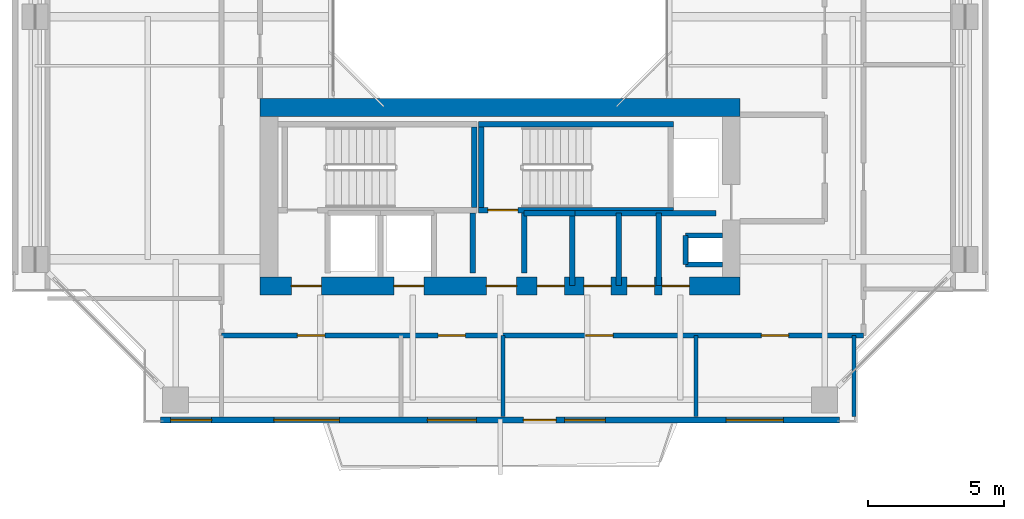
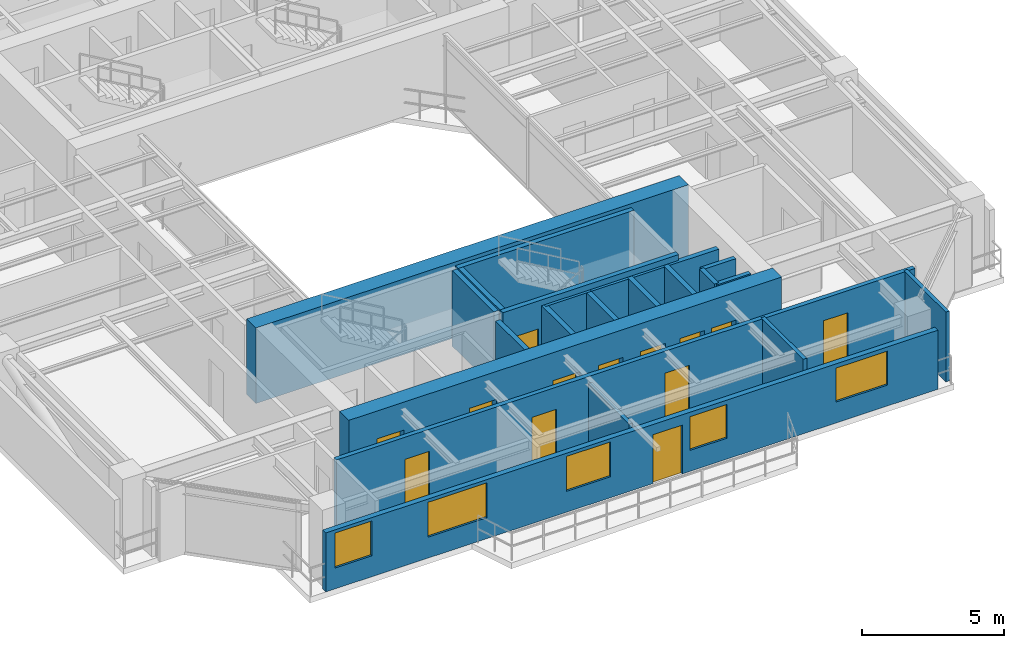
# One storey, part 8 of 14: 21 walls, 13 doors, 5 windows, 18 openings.
"""IFC4 building model written with IfcOpenShell, lengths in metres."""

import ifcopenshell
import ifcopenshell.guid

model = None  # the IFC model being written
_history = None  # IfcOwnerHistory: only IFC2X3 demands one
_inside = {}  # id of a spatial element -> (the spatial element, [elements in it])
_under = {}  # id of a project, library or spatial element -> (it, [spatial elements below it])
_declared = {}  # id of a project -> (the project, [libraries it declares])
_typed = {}  # id of a type object -> (the type object, [elements of that type])
_made_of = {}  # id of a material, layer set ... -> (it, [elements and type objects made of it])


def new_model(schema):
    """Start an empty IFC model of exactly this schema.

    Asked for "IFC4X3", IfcOpenShell would pick the latest addendum, in which some entities
    have other attributes; the version numbers below select the first issue.
    IFC2X3 requires an IfcOwnerHistory on every rooted entity: one is made here for all.
    """
    global model, _history
    if schema == "IFC4X3":
        model = ifcopenshell.file(schema_version=(4, 3, 0, 0))
    else:
        model = ifcopenshell.file(schema=schema)
    _inside.clear()
    _under.clear()
    _declared.clear()
    _typed.clear()
    _made_of.clear()
    _history = None
    if model.schema == "IFC2X3":
        org = make("IfcOrganization", Name="unknown")
        user = make(
            "IfcPersonAndOrganization",
            ThePerson=make("IfcPerson", FamilyName="unknown"),
            TheOrganization=org,
        )
        app = make(
            "IfcApplication",
            ApplicationDeveloper=org,
            Version="unknown",
            ApplicationFullName="unknown",
            ApplicationIdentifier="unknown",
        )
        _history = make(
            "IfcOwnerHistory",
            OwningUser=user,
            OwningApplication=app,
            ChangeAction="ADDED",
            CreationDate=0,
        )
    return model


def make(cls, **values):
    """One entity of the class cls with the attributes given. An attribute that is None is left unset."""
    return model.create_entity(
        cls, **{name: value for name, value in values.items() if value is not None}
    )


def rooted(cls, **values):
    """An entity with a GlobalId (a new one), such as an element, a storey or a relation."""
    return make(cls, GlobalId=ifcopenshell.guid.new(), OwnerHistory=_history, **values)


def si_unit(unit_type, name, prefix=None):
    """IfcSIUnit, for example si_unit("LENGTHUNIT", "METRE", prefix="MILLI")."""
    return make("IfcSIUnit", UnitType=unit_type, Prefix=prefix, Name=name)


def assignment(units):
    """IfcUnitAssignment: the units of a project."""
    return None if units is None else make("IfcUnitAssignment", Units=units)


def point(xyz):
    """IfcCartesianPoint."""
    return None if xyz is None else make("IfcCartesianPoint", Coordinates=xyz)


def direction(xyz):
    """IfcDirection."""
    return None if xyz is None else make("IfcDirection", DirectionRatios=xyz)


def frame(location, z_axis=None, x_axis=None):
    """IfcAxis2Placement3D, a coordinate frame: its origin and axes. An axis left out is left unset."""
    return make(
        "IfcAxis2Placement3D",
        Location=point(location),
        Axis=direction(z_axis),
        RefDirection=direction(x_axis),
    )


def frame_2d(location, x_axis=None):
    """IfcAxis2Placement2D, a coordinate frame in the plane: its origin and x axis."""
    return make(
        "IfcAxis2Placement2D", Location=point(location), RefDirection=direction(x_axis)
    )


def origin():
    """The frame at (0, 0, 0) with its axes left unset."""
    return frame((0.0, 0.0, 0.0))


def place(relative_to, where):
    """IfcLocalPlacement: puts the frame where relative to a parent placement (None: the world)."""
    return make(
        "IfcLocalPlacement", PlacementRelTo=relative_to, RelativePlacement=where
    )


def context(
    kind, dimensions, precision=None, world=None, true_north=None, identifier=None
):
    """IfcGeometricRepresentationContext, for example the 3D "Model" context."""
    return make(
        "IfcGeometricRepresentationContext",
        ContextIdentifier=identifier,
        ContextType=kind,
        CoordinateSpaceDimension=dimensions,
        Precision=precision,
        WorldCoordinateSystem=world,
        TrueNorth=true_north,
    )


def subcontext(parent, identifier, kind, view, scale=None):
    """IfcGeometricRepresentationSubContext, for example "Body" below "Model"."""
    return make(
        "IfcGeometricRepresentationSubContext",
        ContextIdentifier=identifier,
        ContextType=kind,
        ParentContext=parent,
        TargetScale=scale,
        TargetView=view,
    )


def project(units=None, contexts=None):
    """IfcProject with its units and contexts."""
    return rooted(
        "IfcProject",
        Name="project",
        RepresentationContexts=contexts,
        UnitsInContext=assignment(units),
    )


def spatial(cls, under=None, at=None, **own):
    """A site, building, storey or space (cls), placed at a placement, below another one or the project."""
    s = rooted(cls, ObjectPlacement=at, **own)
    if under is not None:
        _under.setdefault(under.id(), (under, []))[1].append(s)
    return s


def profile(cls, at=None, kind="AREA", **sizes):
    """A parametric profile (cls). Its sizes go by their IFC names, for example OverallWidth=200.0."""
    return make(cls, ProfileType=kind, Position=at, **sizes)


def rectangle(**sizes):
    """IfcRectangleProfileDef."""
    return profile("IfcRectangleProfileDef", **sizes)


def extrude(swept, where, along, depth):
    """IfcExtrudedAreaSolid: the profile swept, set in the frame where, extruded along a direction by depth."""
    return make(
        "IfcExtrudedAreaSolid",
        SweptArea=swept,
        Position=where,
        ExtrudedDirection=direction(along),
        Depth=depth,
    )


def shape(context_of_items, identifier, shape_type, items):
    """IfcShapeRepresentation: the items that make up one representation, for example the "Body"."""
    return make(
        "IfcShapeRepresentation",
        ContextOfItems=context_of_items,
        RepresentationIdentifier=identifier,
        RepresentationType=shape_type,
        Items=items,
    )


def source(mapping_origin, context_of_items, identifier, shape_type, items):
    """IfcRepresentationMap: a shape defined once, which mapped items show again and again."""
    return make(
        "IfcRepresentationMap",
        MappingOrigin=mapping_origin,
        MappedRepresentation=shape(context_of_items, identifier, shape_type, items),
    )


def transform(
    local_origin,
    x_axis=None,
    y_axis=None,
    z_axis=None,
    scale=None,
    scale2=None,
    scale3=None,
    uniform=True,
):
    """IfcCartesianTransformationOperator3D, or its non-uniform kind. x_axis, y_axis, z_axis: its Axis1, 2, 3."""
    if uniform:
        return make(
            "IfcCartesianTransformationOperator3D",
            Axis1=direction(x_axis),
            Axis2=direction(y_axis),
            LocalOrigin=point(local_origin),
            Scale=scale,
            Axis3=direction(z_axis),
        )
    return make(
        "IfcCartesianTransformationOperator3DnonUniform",
        Axis1=direction(x_axis),
        Axis2=direction(y_axis),
        LocalOrigin=point(local_origin),
        Scale=scale,
        Axis3=direction(z_axis),
        Scale2=scale2,
        Scale3=scale3,
    )


def mapped(mapping_source, mapping_target):
    """IfcMappedItem: shows the shape of a source again, moved by a transform."""
    return make(
        "IfcMappedItem", MappingSource=mapping_source, MappingTarget=mapping_target
    )


def material(Name=None, Category=None):
    """IfcMaterial."""
    return make("IfcMaterial", Name=Name, Category=Category)


def layer(
    of_material, thickness, ventilated=None, Name=None, Category=None, Priority=None
):
    """IfcMaterialLayer: one layer of a wall or slab, of a material (None: an air gap)."""
    return make(
        "IfcMaterialLayer",
        Material=of_material,
        LayerThickness=thickness,
        IsVentilated=ventilated,
        Name=Name,
        Category=Category,
        Priority=Priority,
    )


def layer_set(layers, Name=None):
    """IfcMaterialLayerSet."""
    return make("IfcMaterialLayerSet", MaterialLayers=layers, LayerSetName=Name)


def made_of(thing, what):
    """Note that an element or type object is made of a material, layer set ...; save() writes the relation."""
    if what is not None:
        _made_of.setdefault(what.id(), (what, []))[1].append(thing)
    return thing


def type_object(cls, material=None, **own):
    """A type object (cls), such as IfcWallType, which elements share."""
    return made_of(rooted(cls, **own), material)


def element(
    cls,
    number,
    at=None,
    inside=None,
    cuts=None,
    type_object=None,
    material=None,
    context=None,
    identifier="Body",
    shape_type=None,
    held_by="IfcProductDefinitionShape",
    body=None,
    shapes=None,
    **own,
):
    """One element of the class cls, such as IfcWall. Its Tag is "e" and its number.

    at: its placement. inside: the storey or other place that contains it. cuts: it is an
    opening in that element (IfcRelVoidsElement). A single representation is given by context,
    identifier, shape_type and body (its items); several are given by shapes. held_by: the class
    of the entity that holds the representations. save() writes the other relations.
    """
    e = rooted(cls, Tag="e%d" % number, ObjectPlacement=at, **own)
    if body is not None:
        shapes = [shape(context, identifier, shape_type, body)]
    if shapes is not None:
        e.Representation = make(held_by, Representations=shapes)
    if inside is not None:
        _inside.setdefault(inside.id(), (inside, []))[1].append(e)
    if cuts is not None:
        rooted(
            "IfcRelVoidsElement", RelatingBuildingElement=cuts, RelatedOpeningElement=e
        )
    if type_object is not None:
        _typed.setdefault(type_object.id(), (type_object, []))[1].append(e)
    return made_of(e, material)


def fill(opening, filler):
    """IfcRelFillsElement: the door or window that sits in an opening."""
    return rooted(
        "IfcRelFillsElement",
        RelatingOpeningElement=opening,
        RelatedBuildingElement=filler,
    )


def aggregate(whole, parts):
    """IfcRelAggregates: a whole, such as a stair, and the parts it consists of."""
    return rooted("IfcRelAggregates", RelatingObject=whole, RelatedObjects=parts)


def save(model, path):
    """Write the relations noted so far, then the file.

    IfcRelAggregates (storeys below a building ...), IfcRelContainedInSpatialStructure (elements
    in a storey), IfcRelDefinesByType, IfcRelAssociatesMaterial and IfcRelDeclares: one each for
    every whole, place, type object, material and project.
    """
    for whole, parts in _under.values():
        aggregate(whole, parts)
    for where, things in _inside.values():
        rooted(
            "IfcRelContainedInSpatialStructure",
            RelatedElements=things,
            RelatingStructure=where,
        )
    for kind, things in _typed.values():
        rooted("IfcRelDefinesByType", RelatedObjects=things, RelatingType=kind)
    for what, things in _made_of.values():
        rooted("IfcRelAssociatesMaterial", RelatedObjects=things, RelatingMaterial=what)
    for by, libraries in _declared.values():
        rooted("IfcRelDeclares", RelatingContext=by, RelatedDefinitions=libraries)
    model.write(path)


model = new_model("IFC4")

# Units and contexts
model_context = context("Model", 3, precision=1e-05, world=origin(), true_north=direction((0.0, 1.0)))
body_context = subcontext(model_context, "Body", "Model", "MODEL_VIEW")
ifc_project = project(units=[si_unit("LENGTHUNIT", "METRE"), si_unit("AREAUNIT", "SQUARE_METRE"), si_unit("VOLUMEUNIT", "CUBIC_METRE"), si_unit("PLANEANGLEUNIT", "RADIAN"), si_unit("MASSUNIT", "GRAM", prefix="KILO"), si_unit("THERMODYNAMICTEMPERATUREUNIT", "KELVIN"), si_unit("POWERUNIT", "WATT")], contexts=[model_context])

# Site, building, storey
site_placement = place(None, origin())
site = spatial("IfcSite", under=ifc_project, at=site_placement, CompositionType="ELEMENT")
building_placement = place(site_placement, origin())
building = spatial("IfcBuilding", under=site, at=building_placement, Name="Qiaomeng Ring Towers", CompositionType="ELEMENT")
storey_placement = place(building_placement, frame((0.0, 0.0, 173.0)))
storey = spatial("IfcBuildingStorey", under=building, at=storey_placement, Name="L50", CompositionType="ELEMENT", Elevation=173.0)

# Wall, openings, windows, door
ifc_material_1 = material(Name="Precast concrete C40", Category="concrete")
ifc_layer_1 = layer(ifc_material_1, 0.219970703125, Name="Precast concrete C40")
ifc_layer_set_1 = layer_set([ifc_layer_1], Name="Precast concrete C40")
wall_type_1 = type_object("IfcWallType", Name="ARC-WL-EW2", PredefinedType="STANDARD", material=ifc_layer_set_1)
wall_1_placement = place(storey_placement, frame((6.550048828125, 5.2099609375, 0.0), z_axis=(0.0, 0.0, 1.0), x_axis=(1.0, 0.0, 0.0)))
wall_1 = element("IfcWall", 1, at=wall_1_placement, inside=storey, type_object=wall_type_1, Name="L50 Tower 1 S Exterior Wall", PredefinedType="STANDARD", context=body_context, shape_type="SweptSolid", body=[
    extrude(rectangle(XDim=24.89990234375, YDim=0.219970703125, at=frame_2d((12.449951171875, 0.0))), origin(), (0.0, 0.0, 1.0), 2.5400390625),
])
opening_1_placement = place(wall_1_placement, frame((13.300048828125, 0.0, 0.0)))
opening_1 = element("IfcOpeningElement", 2, at=opening_1_placement, cuts=wall_1, Name="Opening BD1", PredefinedType="OPENING", context=body_context, shape_type="SweptSolid", body=[
    extrude(rectangle(XDim=1.199951171875, YDim=2.10009765625, at=frame_2d((0.60009765625, 1.050048828125))), frame((0.0, 0.119873046875, 0.0), z_axis=(0.0, -1.0, 0.0), x_axis=(1.0, 0.0, 0.0)), (0.0, 0.0, 1.0), 0.239990234375),
])
opening_2_placement = place(wall_1_placement, frame((0.37255859375, 0.0, 0.89990234375)))
opening_2 = element("IfcOpeningElement", 3, at=opening_2_placement, cuts=wall_1, Name="Opening WN2", PredefinedType="OPENING", context=body_context, shape_type="SweptSolid", body=[
    extrude(rectangle(XDim=1.5, YDim=1.5, at=frame_2d((0.75, 0.75))), frame((0.0, 0.119873046875, 0.0), z_axis=(0.0, -1.0, 0.0), x_axis=(1.0, 0.0, 0.0)), (0.0, 0.0, 1.0), 0.239990234375),
])
opening_3_placement = place(wall_1_placement, frame((9.780029296875, 0.0, 0.89990234375)))
opening_3 = element("IfcOpeningElement", 4, at=opening_3_placement, cuts=wall_1, Name="Opening WN1", PredefinedType="OPENING", context=body_context, shape_type="SweptSolid", body=[
    extrude(rectangle(XDim=1.800048828125, YDim=1.5, at=frame_2d((0.89990234375, 0.75))), frame((0.0, 0.119873046875, 0.0), z_axis=(0.0, -1.0, 0.0), x_axis=(1.0, 0.0, 0.0)), (0.0, 0.0, 1.0), 0.239990234375),
])
opening_4_placement = place(wall_1_placement, frame((14.81298828125, 0.0, 0.89990234375)))
opening_4 = element("IfcOpeningElement", 5, at=opening_4_placement, cuts=wall_1, Name="Opening WN2", PredefinedType="OPENING", context=body_context, shape_type="SweptSolid", body=[
    extrude(rectangle(XDim=1.5, YDim=1.449951171875, at=frame_2d((0.75, 0.72509765625))), frame((0.0, 0.119873046875, 0.0), z_axis=(0.0, -1.0, 0.0), x_axis=(1.0, 0.0, 0.0)), (0.0, 0.0, 1.0), 0.239990234375),
])
opening_5_placement = place(wall_1_placement, frame((20.738037109375, 0.0, 0.89990234375)))
opening_5 = element("IfcOpeningElement", 6, at=opening_5_placement, cuts=wall_1, Name="Opening WN4", PredefinedType="OPENING", context=body_context, shape_type="SweptSolid", body=[
    extrude(rectangle(XDim=2.10009765625, YDim=1.4599609375, at=frame_2d((1.050048828125, 0.72998046875))), frame((0.0, 0.119873046875, 0.0), z_axis=(0.0, -1.0, 0.0), x_axis=(1.0, 0.0, 0.0)), (0.0, 0.0, 1.0), 0.239990234375),
])
opening_6_placement = place(wall_1_placement, frame((4.151611328125, 0.0, 0.89990234375)))
opening_6 = element("IfcOpeningElement", 7, at=opening_6_placement, cuts=wall_1, Name="Opening WN6", PredefinedType="OPENING", context=body_context, shape_type="SweptSolid", body=[
    extrude(rectangle(XDim=2.39990234375, YDim=1.5, at=frame_2d((1.199951171875, 0.75))), frame((0.0, 0.119873046875, 0.0), z_axis=(0.0, -1.0, 0.0), x_axis=(1.0, 0.0, 0.0)), (0.0, 0.0, 1.0), 0.239990234375),
])
ifc_material_2 = material(Name="Low-E dark-grey laminated double glazing", Category="glass")
window_type_1 = type_object("IfcWindowType", Name="ARC-WN-2", PartitioningType="DOUBLE_PANEL_VERTICAL", PredefinedType="WINDOW", material=ifc_material_2)
shared_shape_1 = source(origin(), body_context, "Body", "SweptSolid", [
    extrude(rectangle(XDim=1.5, YDim=1.449951171875, at=frame_2d((0.75, 0.72509765625))), frame((0.0, 0.030029296875, 0.0), z_axis=(0.0, -1.0, 0.0), x_axis=(1.0, 0.0, 0.0)), (0.0, 0.0, 1.0), 0.06005859375),
])
window_1_placement = place(opening_4_placement, origin())
window_1 = element("IfcWindow", 8, at=window_1_placement, inside=storey, type_object=window_type_1, Name="L50 Exterior Window WN2", OverallHeight=1.449951171875, OverallWidth=1.5, PartitioningType="DOUBLE_PANEL_VERTICAL", PredefinedType="WINDOW", context=body_context, shape_type="MappedRepresentation", body=[
    mapped(shared_shape_1, transform((0.0, 0.0, 0.0), x_axis=(1.0, 0.0, 0.0), y_axis=(0.0, 1.0, 0.0), z_axis=(0.0, 0.0, 1.0), scale=1.0)),
])
fill(opening_4, window_1)
door_type_1 = type_object("IfcDoorType", Name="ARC-DR-BD1", OperationType="NOTDEFINED", PredefinedType="DOOR", material=ifc_material_2)
shared_shape_2 = source(origin(), body_context, "Body", "SweptSolid", [
    extrude(rectangle(XDim=1.199951171875, YDim=2.10009765625, at=frame_2d((0.60009765625, 1.050048828125))), frame((0.0, 0.02490234375, 0.0), z_axis=(0.0, -1.0, 0.0), x_axis=(1.0, 0.0, 0.0)), (0.0, 0.0, 1.0), 0.050048828125),
])
door_1_placement = place(opening_1_placement, frame((1.199951171875, 0.0, 0.0), z_axis=(0.0, 0.0, 1.0), x_axis=(-1.0, 0.0, 0.0)))
door_1 = element("IfcDoor", 9, at=door_1_placement, inside=storey, type_object=door_type_1, Name="L50 S Balcony Glazed Door", OperationType="SINGLE_SWING_LEFT", OverallHeight=2.10009765625, OverallWidth=1.199951171875, PredefinedType="DOOR", context=body_context, shape_type="MappedRepresentation", body=[
    mapped(shared_shape_2, transform((0.0, 0.0, 0.0), x_axis=(1.0, 0.0, 0.0), y_axis=(0.0, 1.0, 0.0), z_axis=(0.0, 0.0, 1.0), scale=1.0)),
])
fill(opening_1, door_1)
shared_shape_3 = source(origin(), body_context, "Body", "SweptSolid", [
    extrude(rectangle(XDim=1.5, YDim=1.5, at=frame_2d((0.75, 0.75))), frame((0.0, 0.030029296875, 0.0), z_axis=(0.0, -1.0, 0.0), x_axis=(1.0, 0.0, 0.0)), (0.0, 0.0, 1.0), 0.06005859375),
])
window_2_placement = place(opening_2_placement, origin())
window_2 = element("IfcWindow", 10, at=window_2_placement, inside=storey, type_object=window_type_1, Name="L50 Exterior Window WN6", OverallHeight=1.5, OverallWidth=1.5, PartitioningType="TRIPLE_PANEL_VERTICAL", PredefinedType="WINDOW", context=body_context, shape_type="MappedRepresentation", body=[
    mapped(shared_shape_3, transform((0.0, 0.0, 0.0), x_axis=(1.0, 0.0, 0.0), y_axis=(0.0, 1.0, 0.0), z_axis=(0.0, 0.0, 1.0), scale=1.0)),
])
fill(opening_2, window_2)
window_type_2 = type_object("IfcWindowType", Name="ARC-WN-6", PartitioningType="TRIPLE_PANEL_VERTICAL", PredefinedType="WINDOW", material=ifc_material_2)
shared_shape_4 = source(origin(), body_context, "Body", "SweptSolid", [
    extrude(rectangle(XDim=2.39990234375, YDim=1.5, at=frame_2d((1.199951171875, 0.75))), frame((0.0, 0.030029296875, 0.0), z_axis=(0.0, -1.0, 0.0), x_axis=(1.0, 0.0, 0.0)), (0.0, 0.0, 1.0), 0.06005859375),
])
window_3_placement = place(opening_6_placement, origin())
window_3 = element("IfcWindow", 11, at=window_3_placement, inside=storey, type_object=window_type_2, Name="L50 Exterior Window WN6", OverallHeight=1.5, OverallWidth=2.39990234375, PartitioningType="TRIPLE_PANEL_VERTICAL", PredefinedType="WINDOW", context=body_context, shape_type="MappedRepresentation", body=[
    mapped(shared_shape_4, transform((0.0, 0.0, 0.0), x_axis=(1.0, 0.0, 0.0), y_axis=(0.0, 1.0, 0.0), z_axis=(0.0, 0.0, 1.0), scale=1.0)),
])
fill(opening_6, window_3)
window_type_3 = type_object("IfcWindowType", Name="ARC-WN-1", PartitioningType="DOUBLE_PANEL_VERTICAL", PredefinedType="WINDOW", material=ifc_material_2)
shared_shape_5 = source(origin(), body_context, "Body", "SweptSolid", [
    extrude(rectangle(XDim=1.800048828125, YDim=1.5, at=frame_2d((0.89990234375, 0.75))), frame((0.0, 0.030029296875, 0.0), z_axis=(0.0, -1.0, 0.0), x_axis=(1.0, 0.0, 0.0)), (0.0, 0.0, 1.0), 0.06005859375),
])
window_4_placement = place(opening_3_placement, origin())
window_4 = element("IfcWindow", 12, at=window_4_placement, inside=storey, type_object=window_type_3, Name="L50 Exterior Window WN1", OverallHeight=1.5, OverallWidth=1.800048828125, PartitioningType="DOUBLE_PANEL_VERTICAL", PredefinedType="WINDOW", context=body_context, shape_type="MappedRepresentation", body=[
    mapped(shared_shape_5, transform((0.0, 0.0, 0.0), x_axis=(1.0, 0.0, 0.0), y_axis=(0.0, 1.0, 0.0), z_axis=(0.0, 0.0, 1.0), scale=1.0)),
])
fill(opening_3, window_4)
window_type_4 = type_object("IfcWindowType", Name="ARC-WN-4", PartitioningType="TRIPLE_PANEL_VERTICAL", PredefinedType="WINDOW", material=ifc_material_2)
shared_shape_6 = source(origin(), body_context, "Body", "SweptSolid", [
    extrude(rectangle(XDim=2.10009765625, YDim=1.4599609375, at=frame_2d((1.050048828125, 0.72998046875))), frame((0.0, 0.030029296875, 0.0), z_axis=(0.0, -1.0, 0.0), x_axis=(1.0, 0.0, 0.0)), (0.0, 0.0, 1.0), 0.06005859375),
])
window_5_placement = place(opening_5_placement, origin())
window_5 = element("IfcWindow", 13, at=window_5_placement, inside=storey, type_object=window_type_4, Name="L50 Exterior Window WN4", OverallHeight=1.4599609375, OverallWidth=2.10009765625, PartitioningType="TRIPLE_PANEL_VERTICAL", PredefinedType="WINDOW", context=body_context, shape_type="MappedRepresentation", body=[
    mapped(shared_shape_6, transform((0.0, 0.0, 0.0), x_axis=(1.0, 0.0, 0.0), y_axis=(0.0, 1.0, 0.0), z_axis=(0.0, 0.0, 1.0), scale=1.0)),
])
fill(opening_5, window_5)

# Walls
ifc_material_3 = material(Name="Autoclaved aerated concrete block", Category="concrete")
ifc_layer_2 = layer(ifc_material_3, 0.199951171875, Name="Autoclaved aerated concrete block")
ifc_layer_set_2 = layer_set([ifc_layer_2], Name="Autoclaved aerated concrete block")
wall_type_2 = type_object("IfcWallType", Name="ARC-WL-PW1", PredefinedType="PARTITIONING", material=ifc_layer_set_2)
for number, where, z_axis, x_axis, name in (
    (14, (18.0, 10.60009765625, 0.0), (0.0, 0.0, 1.0), (0.0, 1.0, 0.0), "L50 Interior Wall PW1"),
    (15, (19.8798828125, 10.60009765625, 0.0), (0.0, 0.0, 1.0), (0.0, 1.0, 0.0), "L50 Interior Wall PW1"),
):
    element("IfcWall", number, at=place(storey_placement, frame(where, z_axis=z_axis, x_axis=x_axis)), inside=storey, type_object=wall_type_2, Name=name, PredefinedType="PARTITIONING", context=body_context, shape_type="SweptSolid", body=[
        extrude(rectangle(XDim=2.2099609375, YDim=0.199951171875, at=frame_2d((1.10498046875, 0.0))), origin(), (0.0, 0.0, 1.0), 3.0),
    ])
wall_2_placement = place(storey_placement, frame((24.820068359375, 10.14990234375, 0.0), z_axis=(0.0, 0.0, 1.0), x_axis=(0.0, 1.0, 0.0)))
element("IfcWall", 16, at=wall_2_placement, inside=storey, type_object=wall_type_2, Name="L50 Interior Wall PW1", PredefinedType="PARTITIONING", context=body_context, shape_type="SweptSolid", body=[
    extrude(rectangle(XDim=2.650146484375, YDim=0.199951171875, at=frame_2d((1.3251953125, 0.0))), origin(), (0.0, 0.0, 1.0), 3.0),
])
wall_3_placement = place(storey_placement, frame((19.8798828125, 12.800048828125, 0.0), z_axis=(0.0, 0.0, 1.0), x_axis=(1.0, 0.0, 0.0)))
element("IfcWall", 17, at=wall_3_placement, inside=storey, type_object=wall_type_2, Name="L50 Interior Wall PW1", PredefinedType="PARTITIONING", context=body_context, shape_type="SweptSolid", body=[
    extrude(rectangle(XDim=1.8701171875, YDim=0.199951171875, at=frame_2d((0.93505859375, 0.0))), origin(), (0.0, 0.0, 1.0), 3.0),
])
for number, where, z_axis, x_axis, name in (
    (18, (21.639892578125, 10.14990234375, 0.0), (0.0, 0.0, 1.0), (0.0, 1.0, 0.0), "L50 Interior Wall PW1"),
    (19, (23.35009765625, 10.14990234375, 0.0), (0.0, 0.0, 1.0), (0.0, 1.0, 0.0), "L50 Interior Wall PW1"),
):
    element("IfcWall", number, at=place(storey_placement, frame(where, z_axis=z_axis, x_axis=x_axis)), inside=storey, type_object=wall_type_2, Name=name, PredefinedType="PARTITIONING", context=body_context, shape_type="SweptSolid", body=[
        extrude(rectangle(XDim=2.650146484375, YDim=0.199951171875, at=frame_2d((1.3251953125, 0.0))), origin(), (0.0, 0.0, 1.0), 3.0),
    ])
wall_4_placement = place(storey_placement, frame((21.75, 12.800048828125, 0.0), z_axis=(0.0, 0.0, 1.0), x_axis=(1.0, 0.0, 0.0)))
element("IfcWall", 20, at=wall_4_placement, inside=storey, type_object=wall_type_2, Name="L50 Interior Wall PW1", PredefinedType="PARTITIONING", context=body_context, shape_type="SweptSolid", body=[
    extrude(rectangle(XDim=5.169921875, YDim=0.199951171875, at=frame_2d((2.5849609375, 0.0))), origin(), (0.0, 0.0, 1.0), 3.0),
])

# Wall, openings, doors
ifc_layer_3 = layer(ifc_material_3, 0.179931640625, Name="Autoclaved aerated concrete block")
ifc_layer_set_3 = layer_set([ifc_layer_3], Name="Autoclaved aerated concrete block")
wall_type_3 = type_object("IfcWallType", Name="ARC-WL-PW2", PredefinedType="PARTITIONING", material=ifc_layer_set_3)
wall_5_placement = place(storey_placement, frame((8.780029296875, 8.31005859375, 0.0), z_axis=(0.0, 0.0, 1.0), x_axis=(1.0, 0.0, 0.0)))
wall_5 = element("IfcWall", 21, at=wall_5_placement, inside=storey, type_object=wall_type_3, Name="L50 Interior Wall PW2", PredefinedType="PARTITIONING", context=body_context, shape_type="SweptSolid", body=[
    extrude(rectangle(XDim=23.5400390625, YDim=0.179931640625, at=frame_2d((11.77001953125, 0.0))), origin(), (0.0, 0.0, 1.0), 3.0),
])
opening_7_placement = place(wall_5_placement, frame((2.7900390625, 0.0, 0.0)))
opening_7 = element("IfcOpeningElement", 22, at=opening_7_placement, cuts=wall_5, Name="Opening FD4", PredefinedType="OPENING", context=body_context, shape_type="SweptSolid", body=[
    extrude(rectangle(XDim=1.0, YDim=2.050048828125, at=frame_2d((0.5, 1.02490234375))), frame((0.0, 0.099853515625, 0.0), z_axis=(0.0, -1.0, 0.0), x_axis=(1.0, 0.0, 0.0)), (0.0, 0.0, 1.0), 0.199951171875),
])
opening_8_placement = place(wall_5_placement, frame((7.949951171875, 0.0, 0.0)))
opening_8 = element("IfcOpeningElement", 23, at=opening_8_placement, cuts=wall_5, Name="Opening FD4", PredefinedType="OPENING", context=body_context, shape_type="SweptSolid", body=[
    extrude(rectangle(XDim=1.0, YDim=2.050048828125, at=frame_2d((0.5, 1.02490234375))), frame((0.0, 0.099853515625, 0.0), z_axis=(0.0, -1.0, 0.0), x_axis=(1.0, 0.0, 0.0)), (0.0, 0.0, 1.0), 0.199951171875),
])
opening_9_placement = place(wall_5_placement, frame((13.360107421875, 0.0, 0.0)))
opening_9 = element("IfcOpeningElement", 24, at=opening_9_placement, cuts=wall_5, Name="Opening FD4", PredefinedType="OPENING", context=body_context, shape_type="SweptSolid", body=[
    extrude(rectangle(XDim=1.0, YDim=2.050048828125, at=frame_2d((0.5, 1.02490234375))), frame((0.0, 0.099853515625, 0.0), z_axis=(0.0, -1.0, 0.0), x_axis=(1.0, 0.0, 0.0)), (0.0, 0.0, 1.0), 0.199951171875),
])
opening_10_placement = place(wall_5_placement, frame((19.800048828125, 0.0, 0.0)))
opening_10 = element("IfcOpeningElement", 25, at=opening_10_placement, cuts=wall_5, Name="Opening FD4", PredefinedType="OPENING", context=body_context, shape_type="SweptSolid", body=[
    extrude(rectangle(XDim=1.0, YDim=2.050048828125, at=frame_2d((0.5, 1.02490234375))), frame((0.0, 0.099853515625, 0.0), z_axis=(0.0, -1.0, 0.0), x_axis=(1.0, 0.0, 0.0)), (0.0, 0.0, 1.0), 0.199951171875),
])
ifc_material_4 = material(Name="Engineered fire-rated oak timber", Category="wood")
door_type_2 = type_object("IfcDoorType", Name="ARC-DR-FD4", OperationType="NOTDEFINED", PredefinedType="DOOR", material=ifc_material_4)
shared_shape_7 = source(origin(), body_context, "Body", "SweptSolid", [
    extrude(rectangle(XDim=1.0, YDim=2.050048828125, at=frame_2d((0.5, 1.02490234375))), frame((0.0, 0.02490234375, 0.0), z_axis=(0.0, -1.0, 0.0), x_axis=(1.0, 0.0, 0.0)), (0.0, 0.0, 1.0), 0.050048828125),
])
door_2_placement = place(opening_7_placement, origin())
door_2 = element("IfcDoor", 26, at=door_2_placement, inside=storey, type_object=door_type_2, Name="L50 Door FD4", OperationType="SINGLE_SWING_RIGHT", OverallHeight=2.050048828125, OverallWidth=1.0, PredefinedType="DOOR", context=body_context, shape_type="MappedRepresentation", body=[
    mapped(shared_shape_7, transform((0.0, 0.0, 0.0), x_axis=(1.0, 0.0, 0.0), y_axis=(0.0, 1.0, 0.0), z_axis=(0.0, 0.0, 1.0), scale=1.0)),
])
fill(opening_7, door_2)
door_3_placement = place(opening_8_placement, origin())
door_3 = element("IfcDoor", 27, at=door_3_placement, inside=storey, type_object=door_type_2, Name="L50 Door FD4", OperationType="SINGLE_SWING_LEFT", OverallHeight=2.050048828125, OverallWidth=1.0, PredefinedType="DOOR", context=body_context, shape_type="MappedRepresentation", body=[
    mapped(shared_shape_7, transform((0.0, 0.0, 0.0), x_axis=(1.0, 0.0, 0.0), y_axis=(0.0, 1.0, 0.0), z_axis=(0.0, 0.0, 1.0), scale=1.0)),
])
fill(opening_8, door_3)
door_4_placement = place(opening_9_placement, origin())
door_4 = element("IfcDoor", 28, at=door_4_placement, inside=storey, type_object=door_type_2, Name="L50 Door FD4", OperationType="SINGLE_SWING_RIGHT", OverallHeight=2.050048828125, OverallWidth=1.0, PredefinedType="DOOR", context=body_context, shape_type="MappedRepresentation", body=[
    mapped(shared_shape_7, transform((0.0, 0.0, 0.0), x_axis=(1.0, 0.0, 0.0), y_axis=(0.0, 1.0, 0.0), z_axis=(0.0, 0.0, 1.0), scale=1.0)),
])
fill(opening_9, door_4)
door_5_placement = place(opening_10_placement, origin())
door_5 = element("IfcDoor", 29, at=door_5_placement, inside=storey, type_object=door_type_2, Name="L50 Door FD4", OperationType="SINGLE_SWING_LEFT", OverallHeight=2.050048828125, OverallWidth=1.0, PredefinedType="DOOR", context=body_context, shape_type="MappedRepresentation", body=[
    mapped(shared_shape_7, transform((0.0, 0.0, 0.0), x_axis=(1.0, 0.0, 0.0), y_axis=(0.0, 1.0, 0.0), z_axis=(0.0, 0.0, 1.0), scale=1.0)),
])
fill(opening_10, door_5)

# Walls
ifc_material_5 = material(Name="Gypsum fireboard steel-stud partition", Category="steel")
ifc_layer_4 = layer(ifc_material_5, 0.14990234375, Name="Gypsum fireboard steel-stud partition")
ifc_layer_set_4 = layer_set([ifc_layer_4], Name="Gypsum fireboard steel-stud partition")
wall_type_4 = type_object("IfcWallType", Name="ARC-WL-PW3", PredefinedType="PARTITIONING", material=ifc_layer_set_4)
wall_6_placement = place(storey_placement, frame((19.10009765625, 5.35009765625, 0.0), z_axis=(0.0, 0.0, 1.0), x_axis=(0.0, 1.0, 0.0)))
element("IfcWall", 30, at=wall_6_placement, inside=storey, type_object=wall_type_4, Name="L50 Interior Wall PW3", PredefinedType="PARTITIONING", context=body_context, shape_type="SweptSolid", body=[
    extrude(rectangle(XDim=2.9599609375, YDim=0.14990234375, at=frame_2d((1.47998046875, 0.0))), origin(), (0.0, 0.0, 1.0), 2.700927734375),
])
for number, where, z_axis, x_axis, name in (
    (31, (26.179931640625, 5.35009765625, 0.0), (0.0, 0.0, 1.0), (0.0, 1.0, 0.0), "L50 Interior Wall PW3"),
    (32, (31.97998046875, 5.35009765625, 0.0), (0.0, 0.0, 1.0), (0.0, 1.0, 0.0), "L50 Interior Wall PW3"),
):
    element("IfcWall", number, at=place(storey_placement, frame(where, z_axis=z_axis, x_axis=x_axis)), inside=storey, type_object=wall_type_4, Name=name, PredefinedType="PARTITIONING", context=body_context, shape_type="SweptSolid", body=[
        extrude(rectangle(XDim=2.9599609375, YDim=0.14990234375, at=frame_2d((1.47998046875, 0.0))), origin(), (0.0, 0.0, 1.0), 3.0),
    ])
ifc_material_6 = material(Name="Concrete C40", Category="concrete")
ifc_layer_5 = layer(ifc_material_6, 0.199951171875, Name="Concrete C40")
ifc_layer_set_5 = layer_set([ifc_layer_5], Name="Concrete C40")
wall_type_5 = type_object("IfcWallType", Name="STR-WL-STSHAFT", PredefinedType="SHEAR", material=ifc_layer_set_5)
wall_7_placement = place(storey_placement, frame((25.800048828125, 10.919921875, 0.0), z_axis=(0.0, 0.0, 1.0), x_axis=(0.0, 1.0, 0.0)))
element("IfcWall", 33, at=wall_7_placement, inside=storey, type_object=wall_type_5, Name="L50 Riser RSR1 West Shaft Wall S", PredefinedType="SHEAR", context=body_context, shape_type="SweptSolid", body=[
    extrude(rectangle(XDim=1.06005859375, YDim=0.179931640625, at=frame_2d((0.530029296875, 0.0))), origin(), (0.0, 0.0, 1.0), 3.0),
])
for number, where, z_axis, x_axis, name in (
    (34, (25.800048828125, 11.97998046875, 0.0), (0.0, 0.0, 1.0), (1.0, 0.0, 0.0), "L50 Riser RSR1 North Shaft Wall S"),
    (35, (25.800048828125, 10.919921875, 0.0), (0.0, 0.0, 1.0), (1.0, 0.0, 0.0), "L50 Riser RSR1 South Shaft Wall S"),
):
    element("IfcWall", number, at=place(storey_placement, frame(where, z_axis=z_axis, x_axis=x_axis)), inside=storey, type_object=wall_type_5, Name=name, PredefinedType="SHEAR", context=body_context, shape_type="SweptSolid", body=[
        extrude(rectangle(XDim=1.349853515625, YDim=0.179931640625, at=frame_2d((0.6748046875, 0.0))), origin(), (0.0, 0.0, 1.0), 3.0),
    ])
wall_8_placement = place(storey_placement, frame((18.050048828125, 13.010009765625, 0.0), z_axis=(0.0, 0.0, 1.0), x_axis=(0.0, 1.0, 0.0)))
element("IfcWall", 36, at=wall_8_placement, inside=storey, type_object=wall_type_5, Name="L50 Stair ST3 East Shaft Shear Wall", PredefinedType="SHEAR", context=body_context, shape_type="SweptSolid", body=[
    extrude(rectangle(XDim=2.93994140625, YDim=0.199951171875, at=frame_2d((1.469970703125, 0.0))), origin(), (0.0, 0.0, 1.0), 3.25),
])

# Wall, opening, door
wall_9_placement = place(storey_placement, frame((18.199951171875, 12.909912109375, 0.0), z_axis=(0.0, 0.0, 1.0), x_axis=(1.0, 0.0, 0.0)))
wall_9 = element("IfcWall", 37, at=wall_9_placement, inside=storey, type_object=wall_type_5, Name="L50 Stair ST4 South Shaft Shear Wall", PredefinedType="SHEAR", context=body_context, shape_type="SweptSolid", body=[
    extrude(rectangle(XDim=7.150146484375, YDim=0.199951171875, at=frame_2d((3.5751953125, 0.0))), origin(), (0.0, 0.0, 1.0), 3.25),
])
opening_11_placement = place(wall_9_placement, frame((0.35009765625, 0.0, 0.0)))
opening_11 = element("IfcOpeningElement", 38, at=opening_11_placement, cuts=wall_9, Name="Opening FD3", PredefinedType="OPENING", context=body_context, shape_type="SweptSolid", body=[
    extrude(rectangle(XDim=1.10009765625, YDim=2.050048828125, at=frame_2d((0.550048828125, 1.02490234375))), frame((0.0, 0.10986328125, 0.0), z_axis=(0.0, -1.0, 0.0), x_axis=(1.0, 0.0, 0.0)), (0.0, 0.0, 1.0), 0.219970703125),
])
ifc_material_7 = material(Name="Galvanised steel", Category="steel")
door_type_3 = type_object("IfcDoorType", Name="ARC-DR-FD3", OperationType="NOTDEFINED", PredefinedType="DOOR", material=ifc_material_7)
shared_shape_8 = source(origin(), body_context, "Body", "SweptSolid", [
    extrude(rectangle(XDim=1.10009765625, YDim=2.050048828125, at=frame_2d((0.550048828125, 1.02490234375))), frame((0.0, 0.02490234375, 0.0), z_axis=(0.0, -1.0, 0.0), x_axis=(1.0, 0.0, 0.0)), (0.0, 0.0, 1.0), 0.050048828125),
])
door_6_placement = place(opening_11_placement, frame((1.10009765625, 0.0, 0.0), z_axis=(0.0, 0.0, 1.0), x_axis=(-1.0, 0.0, 0.0)))
door_6 = element("IfcDoor", 39, at=door_6_placement, inside=storey, type_object=door_type_3, Name="L50 Stair ST4 Exit Door", OperationType="SINGLE_SWING_LEFT", OverallHeight=2.050048828125, OverallWidth=1.10009765625, PredefinedType="DOOR", context=body_context, shape_type="MappedRepresentation", body=[
    mapped(shared_shape_8, transform((0.0, 0.0, 0.0), x_axis=(1.0, 0.0, 0.0), y_axis=(0.0, 1.0, 0.0), z_axis=(0.0, 0.0, 1.0), scale=1.0)),
])
fill(opening_11, door_6)

# Walls
wall_10_placement = place(storey_placement, frame((18.199951171875, 16.050048828125, 0.0), z_axis=(0.0, 0.0, 1.0), x_axis=(1.0, 0.0, 0.0)))
element("IfcWall", 40, at=wall_10_placement, inside=storey, type_object=wall_type_5, Name="L50 Stair ST4 North Shaft Shear Wall", PredefinedType="SHEAR", context=body_context, shape_type="SweptSolid", body=[
    extrude(rectangle(XDim=7.150146484375, YDim=0.199951171875, at=frame_2d((3.5751953125, 0.0))), origin(), (0.0, 0.0, 1.0), 3.25),
])
wall_11_placement = place(storey_placement, frame((18.300048828125, 13.010009765625, 0.0), z_axis=(0.0, 0.0, 1.0), x_axis=(0.0, 1.0, 0.0)))
element("IfcWall", 41, at=wall_11_placement, inside=storey, type_object=wall_type_5, Name="L50 Stair ST4 West Shaft Shear Wall", PredefinedType="SHEAR", context=body_context, shape_type="SweptSolid", body=[
    extrude(rectangle(XDim=2.93994140625, YDim=0.199951171875, at=frame_2d((1.469970703125, 0.0))), origin(), (0.0, 0.0, 1.0), 3.25),
])

# Wall, openings, doors
ifc_material_8 = material(Name="Concrete C50", Category="concrete")
ifc_layer_6 = layer(ifc_material_8, 0.64990234375, Name="Concrete C50")
ifc_layer_set_6 = layer_set([ifc_layer_6], Name="Concrete C50")
wall_type_6 = type_object("IfcWallType", Name="STR-WL-SW2B", PredefinedType="SHEAR", material=ifc_layer_set_6)
wall_12_placement = place(storey_placement, frame((10.199951171875, 10.125, 0.0), z_axis=(0.0, 0.0, 1.0), x_axis=(1.0, 0.0, 0.0)))
wall_12 = element("IfcWall", 42, at=wall_12_placement, inside=storey, type_object=wall_type_6, Name="L50 T1SC south core shear wall", PredefinedType="SHEAR", context=body_context, shape_type="SweptSolid", body=[
    extrude(rectangle(XDim=17.60009765625, YDim=0.64990234375, at=frame_2d((8.800048828125, 0.0))), origin(), (0.0, 0.0, 1.0), 3.25),
])
opening_12_placement = place(wall_12_placement, frame((1.14990234375, 0.0, 0.0)))
opening_12 = element("IfcOpeningElement", 43, at=opening_12_placement, cuts=wall_12, Name="Opening FD3", PredefinedType="OPENING", context=body_context, shape_type="SweptSolid", body=[
    extrude(rectangle(XDim=1.10009765625, YDim=2.050048828125, at=frame_2d((0.550048828125, 1.02490234375))), frame((0.0, 0.3349609375, 0.0), z_axis=(0.0, -1.0, 0.0), x_axis=(1.0, 0.0, 0.0)), (0.0, 0.0, 1.0), 0.669921875),
])
opening_13_placement = place(wall_12_placement, frame((8.300048828125, 0.0, 0.0)))
opening_13 = element("IfcOpeningElement", 44, at=opening_13_placement, cuts=wall_12, Name="Opening FD3", PredefinedType="OPENING", context=body_context, shape_type="SweptSolid", body=[
    extrude(rectangle(XDim=1.10009765625, YDim=2.050048828125, at=frame_2d((0.550048828125, 1.02490234375))), frame((0.0, 0.3349609375, 0.0), z_axis=(0.0, -1.0, 0.0), x_axis=(1.0, 0.0, 0.0)), (0.0, 0.0, 1.0), 0.669921875),
])
opening_14_placement = place(wall_12_placement, frame((4.89990234375, 0.0, 0.0)))
opening_14 = element("IfcOpeningElement", 45, at=opening_14_placement, cuts=wall_12, Name="Opening LD1", PredefinedType="OPENING", context=body_context, shape_type="SweptSolid", body=[
    extrude(rectangle(XDim=1.10009765625, YDim=2.050048828125, at=frame_2d((0.550048828125, 1.02490234375))), frame((0.0, 0.3349609375, 0.0), z_axis=(0.0, -1.0, 0.0), x_axis=(1.0, 0.0, 0.0)), (0.0, 0.0, 1.0), 0.669921875),
])
opening_15_placement = place(wall_12_placement, frame((14.739990234375, 0.0, 0.0)))
opening_15 = element("IfcOpeningElement", 46, at=opening_15_placement, cuts=wall_12, Name="Opening FD1", PredefinedType="OPENING", context=body_context, shape_type="SweptSolid", body=[
    extrude(rectangle(XDim=1.0, YDim=2.050048828125, at=frame_2d((0.5, 1.02490234375))), frame((0.0, 0.3349609375, 0.0), z_axis=(0.0, -1.0, 0.0), x_axis=(1.0, 0.0, 0.0)), (0.0, 0.0, 1.0), 0.669921875),
])
opening_16_placement = place(wall_12_placement, frame((10.155029296875, 0.0, 0.0)))
opening_16 = element("IfcOpeningElement", 47, at=opening_16_placement, cuts=wall_12, Name="Opening FD1", PredefinedType="OPENING", context=body_context, shape_type="SweptSolid", body=[
    extrude(rectangle(XDim=1.0, YDim=2.050048828125, at=frame_2d((0.5, 1.02490234375))), frame((0.0, 0.3349609375, 0.0), z_axis=(0.0, -1.0, 0.0), x_axis=(1.0, 0.0, 0.0)), (0.0, 0.0, 1.0), 0.669921875),
])
opening_17_placement = place(wall_12_placement, frame((11.8701171875, 0.0, 0.0)))
opening_17 = element("IfcOpeningElement", 48, at=opening_17_placement, cuts=wall_12, Name="Opening FD1", PredefinedType="OPENING", context=body_context, shape_type="SweptSolid", body=[
    extrude(rectangle(XDim=1.0, YDim=2.050048828125, at=frame_2d((0.5, 1.02490234375))), frame((0.0, 0.3349609375, 0.0), z_axis=(0.0, -1.0, 0.0), x_axis=(1.0, 0.0, 0.0)), (0.0, 0.0, 1.0), 0.669921875),
])
opening_18_placement = place(wall_12_placement, frame((13.4599609375, 0.0, 0.0)))
opening_18 = element("IfcOpeningElement", 49, at=opening_18_placement, cuts=wall_12, Name="Opening FD1", PredefinedType="OPENING", context=body_context, shape_type="SweptSolid", body=[
    extrude(rectangle(XDim=1.0, YDim=2.050048828125, at=frame_2d((0.5, 1.02490234375))), frame((0.0, 0.3349609375, 0.0), z_axis=(0.0, -1.0, 0.0), x_axis=(1.0, 0.0, 0.0)), (0.0, 0.0, 1.0), 0.669921875),
])
door_7_placement = place(opening_12_placement, origin())
door_7 = element("IfcDoor", 50, at=door_7_placement, inside=storey, type_object=door_type_3, Name="L50 Stair ST3 Lobby Door", OperationType="SINGLE_SWING_RIGHT", OverallHeight=2.050048828125, OverallWidth=1.10009765625, PredefinedType="DOOR", context=body_context, shape_type="MappedRepresentation", body=[
    mapped(shared_shape_8, transform((0.0, 0.0, 0.0), x_axis=(1.0, 0.0, 0.0), y_axis=(0.0, 1.0, 0.0), z_axis=(0.0, 0.0, 1.0), scale=1.0)),
])
fill(opening_12, door_7)
door_8_placement = place(opening_13_placement, origin())
door_8 = element("IfcDoor", 51, at=door_8_placement, inside=storey, type_object=door_type_3, Name="L50 Stair ST4 Lobby Door", OperationType="SINGLE_SWING_RIGHT", OverallHeight=2.050048828125, OverallWidth=1.10009765625, PredefinedType="DOOR", context=body_context, shape_type="MappedRepresentation", body=[
    mapped(shared_shape_8, transform((0.0, 0.0, 0.0), x_axis=(1.0, 0.0, 0.0), y_axis=(0.0, 1.0, 0.0), z_axis=(0.0, 0.0, 1.0), scale=1.0)),
])
fill(opening_13, door_8)
ifc_material_9 = material(Name="Stainless steel 316", Category="steel")
door_type_4 = type_object("IfcDoorType", Name="ARC-DR-LD1", OperationType="NOTDEFINED", PredefinedType="DOOR", material=ifc_material_9)
door_9_placement = place(opening_14_placement, origin())
door_9 = element("IfcDoor", 52, at=door_9_placement, inside=storey, type_object=door_type_4, Name="L50 Mid-Zone Lift LP4 Landing Door", OperationType="SLIDING_TO_RIGHT", OverallHeight=2.050048828125, OverallWidth=1.10009765625, PredefinedType="DOOR", context=body_context, shape_type="MappedRepresentation", body=[
    mapped(shared_shape_8, transform((0.0, 0.0, 0.0), x_axis=(1.0, 0.0, 0.0), y_axis=(0.0, 1.0, 0.0), z_axis=(0.0, 0.0, 1.0), scale=1.0)),
])
fill(opening_14, door_9)
door_type_5 = type_object("IfcDoorType", Name="ARC-DR-FD1", OperationType="NOTDEFINED", PredefinedType="DOOR", material=ifc_material_7)
door_10_placement = place(opening_15_placement, origin())
door_10 = element("IfcDoor", 53, at=door_10_placement, inside=storey, type_object=door_type_5, Name="L50 South Electrical Riser Door", OperationType="SINGLE_SWING_LEFT", OverallHeight=2.050048828125, OverallWidth=1.0, PredefinedType="DOOR", context=body_context, shape_type="MappedRepresentation", body=[
    mapped(shared_shape_7, transform((0.0, 0.0, 0.0), x_axis=(1.0, 0.0, 0.0), y_axis=(0.0, 1.0, 0.0), z_axis=(0.0, 0.0, 1.0), scale=1.0)),
])
fill(opening_15, door_10)
door_11_placement = place(opening_16_placement, origin())
door_11 = element("IfcDoor", 54, at=door_11_placement, inside=storey, type_object=door_type_5, Name="L50 South Break Lounge Door", OperationType="SINGLE_SWING_LEFT", OverallHeight=2.050048828125, OverallWidth=1.0, PredefinedType="DOOR", context=body_context, shape_type="MappedRepresentation", body=[
    mapped(shared_shape_7, transform((0.0, 0.0, 0.0), x_axis=(1.0, 0.0, 0.0), y_axis=(0.0, 1.0, 0.0), z_axis=(0.0, 0.0, 1.0), scale=1.0)),
])
fill(opening_16, door_11)
door_12_placement = place(opening_17_placement, origin())
door_12 = element("IfcDoor", 55, at=door_12_placement, inside=storey, type_object=door_type_5, Name="L50 South Consultation Study Door", OperationType="SINGLE_SWING_RIGHT", OverallHeight=2.050048828125, OverallWidth=1.0, PredefinedType="DOOR", context=body_context, shape_type="MappedRepresentation", body=[
    mapped(shared_shape_7, transform((0.0, 0.0, 0.0), x_axis=(1.0, 0.0, 0.0), y_axis=(0.0, 1.0, 0.0), z_axis=(0.0, 0.0, 1.0), scale=1.0)),
])
fill(opening_17, door_12)
door_13_placement = place(opening_18_placement, origin())
door_13 = element("IfcDoor", 56, at=door_13_placement, inside=storey, type_object=door_type_5, Name="L50 South Tea Pantry Door", OperationType="SINGLE_SWING_LEFT", OverallHeight=2.050048828125, OverallWidth=1.0, PredefinedType="DOOR", context=body_context, shape_type="MappedRepresentation", body=[
    mapped(shared_shape_7, transform((0.0, 0.0, 0.0), x_axis=(1.0, 0.0, 0.0), y_axis=(0.0, 1.0, 0.0), z_axis=(0.0, 0.0, 1.0), scale=1.0)),
])
fill(opening_18, door_13)

# Wall
wall_13_placement = place(storey_placement, frame((10.199951171875, 16.675048828125, 0.0), z_axis=(0.0, 0.0, 1.0), x_axis=(1.0, 0.0, 0.0)))
element("IfcWall", 57, at=wall_13_placement, inside=storey, type_object=wall_type_6, Name="L50 T1SC north core shear wall", PredefinedType="SHEAR", context=body_context, shape_type="SweptSolid", body=[
    extrude(rectangle(XDim=17.60009765625, YDim=0.64990234375, at=frame_2d((8.800048828125, 0.0))), origin(), (0.0, 0.0, 1.0), 3.25),
])

save(model, "model.ifc")
